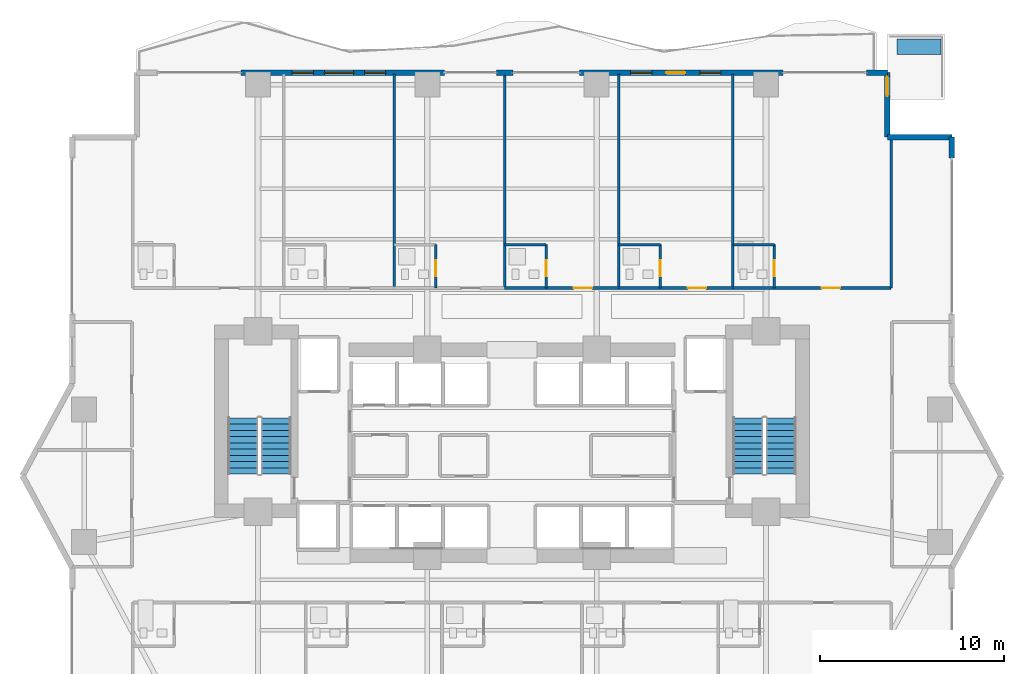
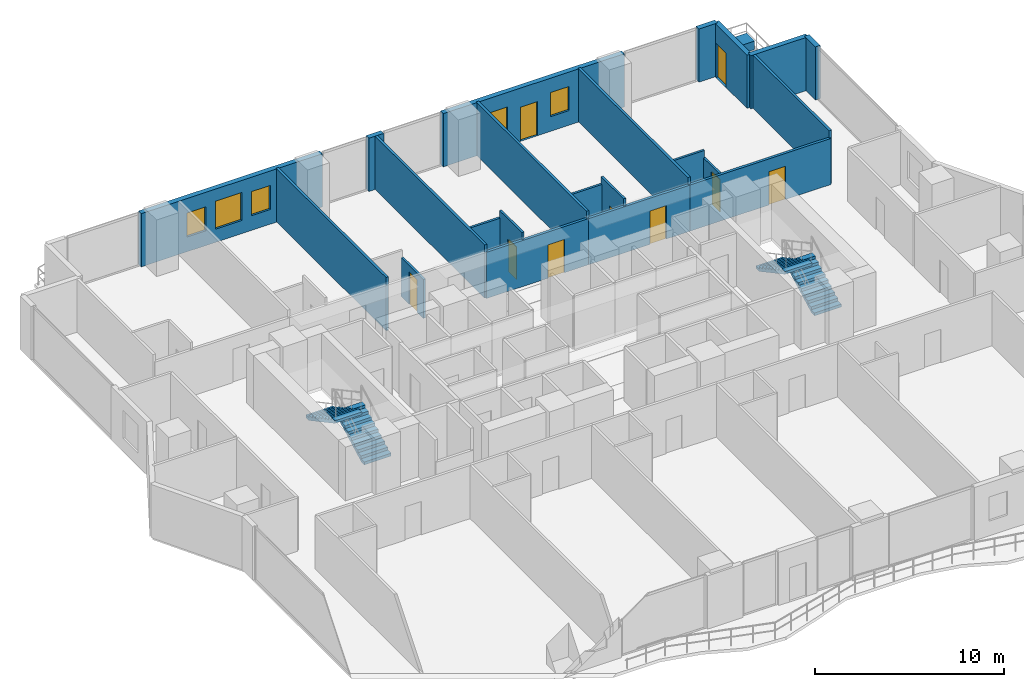
# One storey, part 23 of 27: 22 walls, 9 doors, 5 windows, 4 stair flights, 1 building element part, 14 openings, 2 elements without a shape of their own.
"""IFC4 building model written with IfcOpenShell, lengths in metres."""

from ifc_helpers import new_model, si_unit, direction, frame, frame_2d, origin, origin_2d, place, context, subcontext, project, spatial, polyline, rectangle, outline, extrude, material, layer, layer_set, type_object, element, fill, aggregate, save


model = new_model("IFC4")

# Units and contexts
model_context = context("Model", 3, precision=1e-05, world=origin(), true_north=direction((0.0, 1.0)))
body_context = subcontext(model_context, "Body", "Model", "MODEL_VIEW")
ifc_project = project(units=[si_unit("LENGTHUNIT", "METRE"), si_unit("AREAUNIT", "SQUARE_METRE"), si_unit("VOLUMEUNIT", "CUBIC_METRE"), si_unit("PLANEANGLEUNIT", "RADIAN"), si_unit("MASSUNIT", "GRAM", prefix="KILO")], contexts=[model_context])

# Site, building, storey
site_placement = place(None, origin())
site = spatial("IfcSite", under=ifc_project, at=site_placement, CompositionType="ELEMENT")
building_placement = place(site_placement, origin())
building = spatial("IfcBuilding", under=site, at=building_placement, Name="Zuhayl Quay Hotel", CompositionType="ELEMENT")
storey_placement = place(building_placement, frame((0.0, 0.0, 102.949951171875)))
storey = spatial("IfcBuildingStorey", under=building, at=storey_placement, Name="L25", CompositionType="ELEMENT", Elevation=102.949951171875)

# Wall, openings, windows
ifc_material_1 = material(Name="Precast concrete C45/55", Category="concrete")
ifc_layer_1 = layer(ifc_material_1, 0.300048828125, Name="Precast concrete C45/55", Category="concrete")
ifc_layer_set_1 = layer_set([ifc_layer_1], Name="Precast concrete C45/55")
wall_type_1 = type_object("IfcWallType", Name="WL_EXT_300", PredefinedType="STANDARD", material=ifc_layer_set_1)
wall_1_placement = place(storey_placement, frame((-14.719970703125, 28.39990234375, 0.0), z_axis=(0.0, 0.0, 1.0), x_axis=(1.0, 0.0, 0.0)))
wall_1 = element("IfcWall", 1, at=wall_1_placement, inside=storey, type_object=wall_type_1, Name="L25 Exterior Precast Wall ENV_L25_N_EW2", PredefinedType="STANDARD", context=body_context, shape_type="SweptSolid", body=[
    extrude(rectangle(XDim=11.0400390625, YDim=0.300048828125, at=frame_2d((5.52001953125, 0.0))), origin(), (0.0, 0.0, 1.0), 3.429931640625),
])
opening_1_placement = place(wall_1_placement, frame((4.52001953125, 0.0, 0.85009765625)))
opening_1 = element("IfcOpeningElement", 2, at=opening_1_placement, cuts=wall_1, Name="Opening W01", PredefinedType="OPENING", context=body_context, shape_type="SweptSolid", body=[
    extrude(rectangle(XDim=1.60009765625, YDim=1.800048828125, at=frame_2d((0.800048828125, 0.89990234375))), frame((0.0, 0.159912109375, 0.0), z_axis=(0.0, -1.0, 0.0), x_axis=(1.0, 0.0, 0.0)), (0.0, 0.0, 1.0), 0.320068359375),
])
opening_2_placement = place(wall_1_placement, frame((2.780029296875, 0.0, 0.949951171875)))
opening_2 = element("IfcOpeningElement", 3, at=opening_2_placement, cuts=wall_1, Name="Opening W01N", PredefinedType="OPENING", context=body_context, shape_type="SweptSolid", body=[
    extrude(rectangle(XDim=1.14990234375, YDim=1.550048828125, at=frame_2d((0.574951171875, 0.77490234375))), frame((0.0, 0.159912109375, 0.0), z_axis=(0.0, -1.0, 0.0), x_axis=(1.0, 0.0, 0.0)), (0.0, 0.0, 1.0), 0.320068359375),
])
opening_3_placement = place(wall_1_placement, frame((6.7099609375, 0.0, 0.949951171875)))
opening_3 = element("IfcOpeningElement", 4, at=opening_3_placement, cuts=wall_1, Name="Opening W01N", PredefinedType="OPENING", context=body_context, shape_type="SweptSolid", body=[
    extrude(rectangle(XDim=1.14990234375, YDim=1.550048828125, at=frame_2d((0.574951171875, 0.77490234375))), frame((0.0, 0.159912109375, 0.0), z_axis=(0.0, -1.0, 0.0), x_axis=(1.0, 0.0, 0.0)), (0.0, 0.0, 1.0), 0.320068359375),
])
ifc_material_2 = material(Name="Dark Ceramic-Fritted Solar Glass", Category="glass")
window_type_1 = type_object("IfcWindowType", Name="WN_NOTCH_1350", PartitioningType="SINGLE_PANEL", PredefinedType="WINDOW", material=ifc_material_2)
window_1_placement = place(opening_2_placement, origin())
window_1 = element("IfcWindow", 5, at=window_1_placement, inside=storey, type_object=window_type_1, Name="L25 Operable Facade Window 2-1", OverallHeight=1.550048828125, OverallWidth=1.14990234375, PartitioningType="SINGLE_PANEL", PredefinedType="WINDOW", context=body_context, shape_type="SweptSolid", body=[
    extrude(rectangle(XDim=1.14990234375, YDim=1.550048828125, at=frame_2d((0.574951171875, 0.77490234375))), frame((0.0, 0.030029296875, 0.0), z_axis=(0.0, -1.0, 0.0), x_axis=(1.0, 0.0, 0.0)), (0.0, 0.0, 1.0), 0.06005859375),
])
fill(opening_2, window_1)
window_2_placement = place(opening_3_placement, origin())
window_2 = element("IfcWindow", 6, at=window_2_placement, inside=storey, type_object=window_type_1, Name="L25 Operable Facade Window 2-2", OverallHeight=1.550048828125, OverallWidth=1.14990234375, PartitioningType="SINGLE_PANEL", PredefinedType="WINDOW", context=body_context, shape_type="SweptSolid", body=[
    extrude(rectangle(XDim=1.14990234375, YDim=1.550048828125, at=frame_2d((0.574951171875, 0.77490234375))), frame((0.0, 0.030029296875, 0.0), z_axis=(0.0, -1.0, 0.0), x_axis=(1.0, 0.0, 0.0)), (0.0, 0.0, 1.0), 0.06005859375),
])
fill(opening_3, window_2)
window_type_2 = type_object("IfcWindowType", Name="WN_OPERABLE_1600", PartitioningType="DOUBLE_PANEL_VERTICAL", PredefinedType="WINDOW", material=ifc_material_2)
window_3_placement = place(opening_1_placement, origin())
window_3 = element("IfcWindow", 7, at=window_3_placement, inside=storey, type_object=window_type_2, Name="L25 North Operable Casement Window", OverallHeight=1.800048828125, OverallWidth=1.60009765625, PartitioningType="SINGLE_PANEL", PredefinedType="WINDOW", context=body_context, shape_type="SweptSolid", body=[
    extrude(rectangle(XDim=1.60009765625, YDim=1.800048828125, at=frame_2d((0.800048828125, 0.89990234375))), frame((0.0, 0.030029296875, 0.0), z_axis=(0.0, -1.0, 0.0), x_axis=(1.0, 0.0, 0.0)), (0.0, 0.0, 1.0), 0.06005859375),
])
fill(opening_1, window_3)

# Wall
wall_2_placement = place(storey_placement, frame((-0.85009765625, 28.39990234375, 0.0), z_axis=(0.0, 0.0, 1.0), x_axis=(1.0, 0.0, 0.0)))
element("IfcWall", 8, at=wall_2_placement, inside=storey, type_object=wall_type_1, Name="L25 Exterior Precast Wall ENV_L25_N_EW3", PredefinedType="STANDARD", context=body_context, shape_type="SweptSolid", body=[
    extrude(rectangle(XDim=0.900146484375, YDim=0.300048828125, at=frame_2d((0.4501953125, 0.0))), origin(), (0.0, 0.0, 1.0), 3.429931640625),
])

# Wall, openings, door, windows
wall_3_placement = place(storey_placement, frame((3.679931640625, 28.39990234375, 0.0), z_axis=(0.0, 0.0, 1.0), x_axis=(1.0, 0.0, 0.0)))
wall_3 = element("IfcWall", 9, at=wall_3_placement, inside=storey, type_object=wall_type_1, Name="L25 Exterior Precast Wall ENV_L25_N_EW4", PredefinedType="STANDARD", context=body_context, shape_type="SweptSolid", body=[
    extrude(rectangle(XDim=11.0400390625, YDim=0.300048828125, at=frame_2d((5.52001953125, 0.0))), origin(), (0.0, 0.0, 1.0), 3.429931640625),
])
opening_4_placement = place(wall_3_placement, frame((4.695068359375, 0.0, 0.0)))
opening_4 = element("IfcOpeningElement", 10, at=opening_4_placement, cuts=wall_3, Name="Opening DG1", PredefinedType="OPENING", context=body_context, shape_type="SweptSolid", body=[
    extrude(rectangle(XDim=1.050048828125, YDim=2.199951171875, at=frame_2d((0.52490234375, 1.10009765625))), frame((0.0, 0.159912109375, 0.0), z_axis=(0.0, -1.0, 0.0), x_axis=(1.0, 0.0, 0.0)), (0.0, 0.0, 1.0), 0.320068359375),
])
opening_5_placement = place(wall_3_placement, frame((2.767578125, 0.0, 0.949951171875)))
opening_5 = element("IfcOpeningElement", 11, at=opening_5_placement, cuts=wall_3, Name="Opening W01N", PredefinedType="OPENING", context=body_context, shape_type="SweptSolid", body=[
    extrude(rectangle(XDim=1.14990234375, YDim=1.550048828125, at=frame_2d((0.574951171875, 0.77490234375))), frame((0.0, 0.159912109375, 0.0), z_axis=(0.0, -1.0, 0.0), x_axis=(1.0, 0.0, 0.0)), (0.0, 0.0, 1.0), 0.320068359375),
])
opening_6_placement = place(wall_3_placement, frame((6.5224609375, 0.0, 0.949951171875)))
opening_6 = element("IfcOpeningElement", 12, at=opening_6_placement, cuts=wall_3, Name="Opening W01N", PredefinedType="OPENING", context=body_context, shape_type="SweptSolid", body=[
    extrude(rectangle(XDim=1.14990234375, YDim=1.550048828125, at=frame_2d((0.574951171875, 0.77490234375))), frame((0.0, 0.159912109375, 0.0), z_axis=(0.0, -1.0, 0.0), x_axis=(1.0, 0.0, 0.0)), (0.0, 0.0, 1.0), 0.320068359375),
])
ifc_material_3 = material(Name="Anodised Aluminium and Dark Solar Glass", Category="aluminium")
door_type_1 = type_object("IfcDoorType", Name="DR_EXT_TERR_1050", OperationType="NOTDEFINED", PredefinedType="DOOR", material=ifc_material_3)
door_1_placement = place(opening_4_placement, origin())
door_1 = element("IfcDoor", 13, at=door_1_placement, inside=storey, type_object=door_type_1, Name="L25 North Rippling Balcony Door", OperationType="SINGLE_SWING_LEFT", OverallHeight=2.199951171875, OverallWidth=1.050048828125, PredefinedType="DOOR", context=body_context, shape_type="SweptSolid", body=[
    extrude(rectangle(XDim=1.050048828125, YDim=2.199951171875, at=frame_2d((0.52490234375, 1.10009765625))), frame((0.0, 0.02490234375, 0.0), z_axis=(0.0, -1.0, 0.0), x_axis=(1.0, 0.0, 0.0)), (0.0, 0.0, 1.0), 0.050048828125),
])
fill(opening_4, door_1)
window_4_placement = place(opening_5_placement, origin())
window_4 = element("IfcWindow", 14, at=window_4_placement, inside=storey, type_object=window_type_1, Name="L25 Operable Facade Window 4-1", OverallHeight=1.550048828125, OverallWidth=1.14990234375, PartitioningType="SINGLE_PANEL", PredefinedType="WINDOW", context=body_context, shape_type="SweptSolid", body=[
    extrude(rectangle(XDim=1.14990234375, YDim=1.550048828125, at=frame_2d((0.574951171875, 0.77490234375))), frame((0.0, 0.030029296875, 0.0), z_axis=(0.0, -1.0, 0.0), x_axis=(1.0, 0.0, 0.0)), (0.0, 0.0, 1.0), 0.06005859375),
])
fill(opening_5, window_4)
window_5_placement = place(opening_6_placement, origin())
window_5 = element("IfcWindow", 15, at=window_5_placement, inside=storey, type_object=window_type_1, Name="L25 Operable Facade Window 4-2", OverallHeight=1.550048828125, OverallWidth=1.14990234375, PartitioningType="SINGLE_PANEL", PredefinedType="WINDOW", context=body_context, shape_type="SweptSolid", body=[
    extrude(rectangle(XDim=1.14990234375, YDim=1.550048828125, at=frame_2d((0.574951171875, 0.77490234375))), frame((0.0, 0.030029296875, 0.0), z_axis=(0.0, -1.0, 0.0), x_axis=(1.0, 0.0, 0.0)), (0.0, 0.0, 1.0), 0.06005859375),
])
fill(opening_6, window_5)

# Wall
wall_4_placement = place(storey_placement, frame((19.25, 28.39990234375, 0.0), z_axis=(0.0, 0.0, 1.0), x_axis=(1.0, 0.0, 0.0)))
element("IfcWall", 16, at=wall_4_placement, inside=storey, type_object=wall_type_1, Name="L25 Exterior Precast Wall ENV_L25_N_EW5", PredefinedType="STANDARD", context=body_context, shape_type="SweptSolid", body=[
    extrude(rectangle(XDim=1.14990234375, YDim=0.300048828125, at=frame_2d((0.574951171875, 0.0))), origin(), (0.0, 0.0, 1.0), 3.429931640625),
])

# Wall, opening, door
wall_5_placement = place(storey_placement, frame((20.39990234375, 28.39990234375, 0.0), z_axis=(0.0, 0.0, 1.0), x_axis=(0.0, -1.0, 0.0)))
wall_5 = element("IfcWall", 17, at=wall_5_placement, inside=storey, type_object=wall_type_1, Name="L25 Exterior Precast Wall ENV_L25_SP_NE", PredefinedType="STANDARD", context=body_context, shape_type="SweptSolid", body=[
    extrude(rectangle(XDim=3.5, YDim=0.300048828125, at=frame_2d((1.75, 0.0))), origin(), (0.0, 0.0, 1.0), 3.429931640625),
])
opening_7_placement = place(wall_5_placement, frame((0.219970703125, 0.0, 0.0)))
opening_7 = element("IfcOpeningElement", 18, at=opening_7_placement, cuts=wall_5, Name="Opening DG1", PredefinedType="OPENING", context=body_context, shape_type="SweptSolid", body=[
    extrude(rectangle(XDim=1.050048828125, YDim=2.199951171875, at=frame_2d((0.52490234375, 1.10009765625))), frame((0.0, 0.159912109375, 0.0), z_axis=(0.0, -1.0, 0.0), x_axis=(1.0, 0.0, 0.0)), (0.0, 0.0, 1.0), 0.320068359375),
])
door_2_placement = place(opening_7_placement, origin())
door_2 = element("IfcDoor", 19, at=door_2_placement, inside=storey, type_object=door_type_1, Name="L25 Spiral Sky-Terrace NE Access Door", OperationType="SINGLE_SWING_LEFT", OverallHeight=2.199951171875, OverallWidth=1.050048828125, PredefinedType="DOOR", context=body_context, shape_type="SweptSolid", body=[
    extrude(rectangle(XDim=1.050048828125, YDim=2.199951171875, at=frame_2d((0.52490234375, 1.10009765625))), frame((0.0, 0.02490234375, 0.0), z_axis=(0.0, -1.0, 0.0), x_axis=(1.0, 0.0, 0.0)), (0.0, 0.0, 1.0), 0.050048828125),
])
fill(opening_7, door_2)

# Walls
wall_6_placement = place(storey_placement, frame((20.39990234375, 24.89990234375, 0.0), z_axis=(0.0, 0.0, 1.0), x_axis=(1.0, 0.0, 0.0)))
element("IfcWall", 20, at=wall_6_placement, inside=storey, type_object=wall_type_1, Name="L25 Exterior Precast Wall ENV_L25_EW10", PredefinedType="STANDARD", context=body_context, shape_type="SweptSolid", body=[
    extrude(rectangle(XDim=3.5, YDim=0.300048828125, at=frame_2d((1.75, 0.0))), origin(), (0.0, 0.0, 1.0), 3.429931640625),
])
wall_7_placement = place(storey_placement, frame((23.89990234375, 24.89990234375, 0.0), z_axis=(0.0, 0.0, 1.0), x_axis=(0.0, -1.0, 0.0)))
element("IfcWall", 21, at=wall_7_placement, inside=storey, type_object=wall_type_1, Name="L25 Exterior Precast Wall ENV_L25_E11_EW1", PredefinedType="STANDARD", context=body_context, shape_type="SweptSolid", body=[
    extrude(rectangle(XDim=1.14990234375, YDim=0.300048828125, at=frame_2d((0.574951171875, 0.0))), origin(), (0.0, 0.0, 1.0), 3.429931640625),
])
ifc_material_4 = material(Name="Acoustic Gypsum Partition STC-58")
ifc_layer_2 = layer(ifc_material_4, 0.14990234375, Name="Acoustic Gypsum Partition STC-58")
ifc_layer_set_2 = layer_set([ifc_layer_2], Name="Acoustic Gypsum Partition STC-58")
wall_type_2 = type_object("IfcWallType", Name="WL_PART_150", PredefinedType="PARTITIONING", material=ifc_layer_set_2)
for number, where, z_axis, x_axis, name in (
    (22, (-6.39990234375, 16.699951171875, 0.0), (0.0, 0.0, 1.0), (0.0, 1.0, 0.0), "L25 Partition IW_L25_NU02_E"),
    (23, (-0.39990234375, 16.699951171875, 0.0), (0.0, 0.0, 1.0), (0.0, 1.0, 0.0), "L25 Partition IW_L25_NU03_E"),
    (24, (5.800048828125, 16.699951171875, 0.0), (0.0, 0.0, 1.0), (0.0, 1.0, 0.0), "L25 Partition IW_L25_NU04_E"),
    (25, (12.0, 16.699951171875, 0.0), (0.0, 0.0, 1.0), (0.0, 1.0, 0.0), "L25 Partition IW_L25_NU05_E"),
):
    element("IfcWall", number, at=place(storey_placement, frame(where, z_axis=z_axis, x_axis=x_axis)), inside=storey, type_object=wall_type_2, Name=name, PredefinedType="PARTITIONING", context=body_context, shape_type="SweptSolid", body=[
        extrude(rectangle(XDim=11.6201171875, YDim=0.14990234375, at=frame_2d((5.81005859375, 0.0))), origin(), (0.0, 0.0, 1.0), 3.429931640625),
    ])
wall_8_placement = place(storey_placement, frame((20.60009765625, 16.699951171875, 0.0), z_axis=(0.0, 0.0, 1.0), x_axis=(0.0, 1.0, 0.0)))
element("IfcWall", 26, at=wall_8_placement, inside=storey, type_object=wall_type_2, Name="L25 Partition IW_L25_NU06_E", PredefinedType="PARTITIONING", context=body_context, shape_type="SweptSolid", body=[
    extrude(rectangle(XDim=8.199951171875, YDim=0.14990234375, at=frame_2d((4.10009765625, 0.0))), origin(), (0.0, 0.0, 1.0), 3.429931640625),
])

# Wall, opening, door
ifc_layer_3 = layer(ifc_material_4, 0.159912109375, Name="Acoustic Gypsum Partition STC-58")
ifc_layer_set_3 = layer_set([ifc_layer_3], Name="Acoustic Gypsum Partition STC-58")
wall_type_3 = type_object("IfcWallType", Name="WL_PART_CORR_160", PredefinedType="PARTITIONING", material=ifc_layer_set_3)
wall_9_placement = place(storey_placement, frame((-0.39990234375, 16.699951171875, 0.0), z_axis=(0.0, 0.0, 1.0), x_axis=(1.0, 0.0, 0.0)))
wall_9 = element("IfcWall", 27, at=wall_9_placement, inside=storey, type_object=wall_type_3, Name="L25 Partition IW_L25_NU04_COR", PredefinedType="PARTITIONING", context=body_context, shape_type="SweptSolid", body=[
    extrude(rectangle(XDim=6.199951171875, YDim=0.159912109375, at=frame_2d((3.10009765625, 0.0))), origin(), (0.0, 0.0, 1.0), 2.97314453125),
])
opening_8_placement = place(wall_9_placement, frame((3.75, 0.0, 0.0)))
opening_8 = element("IfcOpeningElement", 28, at=opening_8_placement, cuts=wall_9, Name="Opening D03L", PredefinedType="OPENING", context=body_context, shape_type="SweptSolid", body=[
    extrude(rectangle(XDim=1.0, YDim=2.14990234375, at=frame_2d((0.5, 1.074951171875))), frame((0.0, 0.08984375, 0.0), z_axis=(0.0, -1.0, 0.0), x_axis=(1.0, 0.0, 0.0)), (0.0, 0.0, 1.0), 0.179931640625),
])
ifc_material_5 = material(Name="Solid Walnut Acoustic Fire Door")
door_type_2 = type_object("IfcDoorType", Name="DR_SUITE_1000", OperationType="NOTDEFINED", PredefinedType="DOOR", material=ifc_material_5)
door_3_placement = place(opening_8_placement, origin())
door_3 = element("IfcDoor", 29, at=door_3_placement, inside=storey, type_object=door_type_2, Name="L25 Executive Suite L25-04 Entrance Door", OperationType="SINGLE_SWING_RIGHT", OverallHeight=2.14990234375, OverallWidth=1.0, PredefinedType="DOOR", context=body_context, shape_type="SweptSolid", body=[
    extrude(rectangle(XDim=1.0, YDim=2.14990234375, at=frame_2d((0.5, 1.074951171875))), frame((0.0, 0.02490234375, 0.0), z_axis=(0.0, -1.0, 0.0), x_axis=(1.0, 0.0, 0.0)), (0.0, 0.0, 1.0), 0.050048828125),
])
fill(opening_8, door_3)

wall_10_placement = place(storey_placement, frame((5.800048828125, 16.699951171875, 0.0), z_axis=(0.0, 0.0, 1.0), x_axis=(1.0, 0.0, 0.0)))
wall_10 = element("IfcWall", 30, at=wall_10_placement, inside=storey, type_object=wall_type_3, Name="L25 Partition IW_L25_NU05_COR", PredefinedType="PARTITIONING", context=body_context, shape_type="SweptSolid", body=[
    extrude(rectangle(XDim=6.199951171875, YDim=0.159912109375, at=frame_2d((3.10009765625, 0.0))), origin(), (0.0, 0.0, 1.0), 2.97314453125),
])
opening_9_placement = place(wall_10_placement, frame((3.75, 0.0, 0.0)))
opening_9 = element("IfcOpeningElement", 31, at=opening_9_placement, cuts=wall_10, Name="Opening D03L", PredefinedType="OPENING", context=body_context, shape_type="SweptSolid", body=[
    extrude(rectangle(XDim=1.0, YDim=2.14990234375, at=frame_2d((0.5, 1.074951171875))), frame((0.0, 0.08984375, 0.0), z_axis=(0.0, -1.0, 0.0), x_axis=(1.0, 0.0, 0.0)), (0.0, 0.0, 1.0), 0.179931640625),
])
door_4_placement = place(opening_9_placement, origin())
door_4 = element("IfcDoor", 32, at=door_4_placement, inside=storey, type_object=door_type_2, Name="L25 Executive Suite L25-05 Entrance Door", OperationType="SINGLE_SWING_RIGHT", OverallHeight=2.14990234375, OverallWidth=1.0, PredefinedType="DOOR", context=body_context, shape_type="SweptSolid", body=[
    extrude(rectangle(XDim=1.0, YDim=2.14990234375, at=frame_2d((0.5, 1.074951171875))), frame((0.0, 0.02490234375, 0.0), z_axis=(0.0, -1.0, 0.0), x_axis=(1.0, 0.0, 0.0)), (0.0, 0.0, 1.0), 0.050048828125),
])
fill(opening_9, door_4)

wall_11_placement = place(storey_placement, frame((12.0, 16.699951171875, 0.0), z_axis=(0.0, 0.0, 1.0), x_axis=(1.0, 0.0, 0.0)))
wall_11 = element("IfcWall", 33, at=wall_11_placement, inside=storey, type_object=wall_type_3, Name="L25 Partition IW_L25_NU06_COR", PredefinedType="PARTITIONING", context=body_context, shape_type="SweptSolid", body=[
    extrude(rectangle(XDim=8.60009765625, YDim=0.159912109375, at=frame_2d((4.300048828125, 0.0))), origin(), (0.0, 0.0, 1.0), 2.97314453125),
])
opening_10_placement = place(wall_11_placement, frame((4.824951171875, 0.0, 0.0)))
opening_10 = element("IfcOpeningElement", 34, at=opening_10_placement, cuts=wall_11, Name="Opening D03L", PredefinedType="OPENING", context=body_context, shape_type="SweptSolid", body=[
    extrude(rectangle(XDim=1.0, YDim=2.14990234375, at=frame_2d((0.5, 1.074951171875))), frame((0.0, 0.08984375, 0.0), z_axis=(0.0, -1.0, 0.0), x_axis=(1.0, 0.0, 0.0)), (0.0, 0.0, 1.0), 0.179931640625),
])
door_5_placement = place(opening_10_placement, origin())
door_5 = element("IfcDoor", 35, at=door_5_placement, inside=storey, type_object=door_type_2, Name="L25 Executive Suite L25-06 Entrance Door", OperationType="SINGLE_SWING_RIGHT", OverallHeight=2.14990234375, OverallWidth=1.0, PredefinedType="DOOR", context=body_context, shape_type="SweptSolid", body=[
    extrude(rectangle(XDim=1.0, YDim=2.14990234375, at=frame_2d((0.5, 1.074951171875))), frame((0.0, 0.02490234375, 0.0), z_axis=(0.0, -1.0, 0.0), x_axis=(1.0, 0.0, 0.0)), (0.0, 0.0, 1.0), 0.050048828125),
])
fill(opening_10, door_5)

ifc_material_6 = material(Name="Moisture-Resistant Sanitarychase Gypsum")
ifc_layer_4 = layer(ifc_material_6, 0.135009765625, Name="Moisture-Resistant Sanitarychase Gypsum")
ifc_layer_set_4 = layer_set([ifc_layer_4], Name="Moisture-Resistant Sanitarychase Gypsum")
wall_type_4 = type_object("IfcWallType", Name="WL_PART_PLUMB_150", PredefinedType="PLUMBINGWALL", material=ifc_layer_set_4)
wall_12_placement = place(storey_placement, frame((-4.139892578125, 16.699951171875, 0.0), z_axis=(0.0, 0.0, 1.0), x_axis=(0.0, 1.0, 0.0)))
wall_12 = element("IfcWall", 36, at=wall_12_placement, inside=storey, type_object=wall_type_4, Name="L25 Partition IW_L25_NU03_BE", PredefinedType="PLUMBINGWALL", context=body_context, shape_type="SweptSolid", body=[
    extrude(rectangle(XDim=2.360107421875, YDim=0.135009765625, at=frame_2d((1.18017578125, 0.0))), origin(), (0.0, 0.0, 1.0), 2.5029296875),
])
opening_11_placement = place(wall_12_placement, frame((0.64990234375, 0.0, 0.0)))
opening_11 = element("IfcOpeningElement", 37, at=opening_11_placement, cuts=wall_12, Name="Opening D04", PredefinedType="OPENING", context=body_context, shape_type="SweptSolid", body=[
    extrude(rectangle(XDim=0.85009765625, YDim=2.10009765625, at=frame_2d((0.425048828125, 1.050048828125))), frame((0.0, 0.077392578125, 0.0), z_axis=(0.0, -1.0, 0.0), x_axis=(1.0, 0.0, 0.0)), (0.0, 0.0, 1.0), 0.155029296875),
])
ifc_material_7 = material(Name="Moisture-Resistant Walnut Veneer")
door_type_3 = type_object("IfcDoorType", Name="DR_BATH_850", OperationType="NOTDEFINED", PredefinedType="DOOR", material=ifc_material_7)
door_6_placement = place(opening_11_placement, origin())
door_6 = element("IfcDoor", 38, at=door_6_placement, inside=storey, type_object=door_type_3, Name="L25 Executive Suite L25-03 En-Suite Door", OperationType="SINGLE_SWING_LEFT", OverallHeight=2.10009765625, OverallWidth=0.85009765625, PredefinedType="DOOR", context=body_context, shape_type="SweptSolid", body=[
    extrude(rectangle(XDim=0.85009765625, YDim=2.10009765625, at=frame_2d((0.425048828125, 1.050048828125))), frame((0.0, 0.02490234375, 0.0), z_axis=(0.0, -1.0, 0.0), x_axis=(1.0, 0.0, 0.0)), (0.0, 0.0, 1.0), 0.050048828125),
])
fill(opening_11, door_6)

wall_13_placement = place(storey_placement, frame((1.860107421875, 16.699951171875, 0.0), z_axis=(0.0, 0.0, 1.0), x_axis=(0.0, 1.0, 0.0)))
wall_13 = element("IfcWall", 39, at=wall_13_placement, inside=storey, type_object=wall_type_4, Name="L25 Partition IW_L25_NU04_BE", PredefinedType="PLUMBINGWALL", context=body_context, shape_type="SweptSolid", body=[
    extrude(rectangle(XDim=2.360107421875, YDim=0.135009765625, at=frame_2d((1.18017578125, 0.0))), origin(), (0.0, 0.0, 1.0), 3.429931640625),
])
opening_12_placement = place(wall_13_placement, frame((0.64990234375, 0.0, 0.0)))
opening_12 = element("IfcOpeningElement", 40, at=opening_12_placement, cuts=wall_13, Name="Opening D04", PredefinedType="OPENING", context=body_context, shape_type="SweptSolid", body=[
    extrude(rectangle(XDim=0.85009765625, YDim=2.10009765625, at=frame_2d((0.425048828125, 1.050048828125))), frame((0.0, 0.077392578125, 0.0), z_axis=(0.0, -1.0, 0.0), x_axis=(1.0, 0.0, 0.0)), (0.0, 0.0, 1.0), 0.155029296875),
])
door_7_placement = place(opening_12_placement, origin())
door_7 = element("IfcDoor", 41, at=door_7_placement, inside=storey, type_object=door_type_3, Name="L25 Executive Suite L25-04 En-Suite Door", OperationType="SINGLE_SWING_LEFT", OverallHeight=2.10009765625, OverallWidth=0.85009765625, PredefinedType="DOOR", context=body_context, shape_type="SweptSolid", body=[
    extrude(rectangle(XDim=0.85009765625, YDim=2.10009765625, at=frame_2d((0.425048828125, 1.050048828125))), frame((0.0, 0.02490234375, 0.0), z_axis=(0.0, -1.0, 0.0), x_axis=(1.0, 0.0, 0.0)), (0.0, 0.0, 1.0), 0.050048828125),
])
fill(opening_12, door_7)

wall_14_placement = place(storey_placement, frame((8.06005859375, 16.699951171875, 0.0), z_axis=(0.0, 0.0, 1.0), x_axis=(0.0, 1.0, 0.0)))
wall_14 = element("IfcWall", 42, at=wall_14_placement, inside=storey, type_object=wall_type_4, Name="L25 Partition IW_L25_NU05_BE", PredefinedType="PLUMBINGWALL", context=body_context, shape_type="SweptSolid", body=[
    extrude(rectangle(XDim=2.360107421875, YDim=0.135009765625, at=frame_2d((1.18017578125, 0.0))), origin(), (0.0, 0.0, 1.0), 3.429931640625),
])
opening_13_placement = place(wall_14_placement, frame((0.64990234375, 0.0, 0.0)))
opening_13 = element("IfcOpeningElement", 43, at=opening_13_placement, cuts=wall_14, Name="Opening D04", PredefinedType="OPENING", context=body_context, shape_type="SweptSolid", body=[
    extrude(rectangle(XDim=0.85009765625, YDim=2.10009765625, at=frame_2d((0.425048828125, 1.050048828125))), frame((0.0, 0.077392578125, 0.0), z_axis=(0.0, -1.0, 0.0), x_axis=(1.0, 0.0, 0.0)), (0.0, 0.0, 1.0), 0.155029296875),
])
door_8_placement = place(opening_13_placement, origin())
door_8 = element("IfcDoor", 44, at=door_8_placement, inside=storey, type_object=door_type_3, Name="L25 Executive Suite L25-05 En-Suite Door", OperationType="SINGLE_SWING_LEFT", OverallHeight=2.10009765625, OverallWidth=0.85009765625, PredefinedType="DOOR", context=body_context, shape_type="SweptSolid", body=[
    extrude(rectangle(XDim=0.85009765625, YDim=2.10009765625, at=frame_2d((0.425048828125, 1.050048828125))), frame((0.0, 0.02490234375, 0.0), z_axis=(0.0, -1.0, 0.0), x_axis=(1.0, 0.0, 0.0)), (0.0, 0.0, 1.0), 0.050048828125),
])
fill(opening_13, door_8)

wall_15_placement = place(storey_placement, frame((14.260009765625, 16.699951171875, 0.0), z_axis=(0.0, 0.0, 1.0), x_axis=(0.0, 1.0, 0.0)))
wall_15 = element("IfcWall", 45, at=wall_15_placement, inside=storey, type_object=wall_type_4, Name="L25 Partition IW_L25_NU06_BE", PredefinedType="PLUMBINGWALL", context=body_context, shape_type="SweptSolid", body=[
    extrude(rectangle(XDim=2.360107421875, YDim=0.135009765625, at=frame_2d((1.18017578125, 0.0))), origin(), (0.0, 0.0, 1.0), 2.5029296875),
])
opening_14_placement = place(wall_15_placement, frame((0.64990234375, 0.0, 0.0)))
opening_14 = element("IfcOpeningElement", 46, at=opening_14_placement, cuts=wall_15, Name="Opening D04", PredefinedType="OPENING", context=body_context, shape_type="SweptSolid", body=[
    extrude(rectangle(XDim=0.85009765625, YDim=2.10009765625, at=frame_2d((0.425048828125, 1.050048828125))), frame((0.0, 0.077392578125, 0.0), z_axis=(0.0, -1.0, 0.0), x_axis=(1.0, 0.0, 0.0)), (0.0, 0.0, 1.0), 0.155029296875),
])
door_9_placement = place(opening_14_placement, origin())
door_9 = element("IfcDoor", 47, at=door_9_placement, inside=storey, type_object=door_type_3, Name="L25 Executive Suite L25-06 En-Suite Door", OperationType="SINGLE_SWING_LEFT", OverallHeight=2.10009765625, OverallWidth=0.85009765625, PredefinedType="DOOR", context=body_context, shape_type="SweptSolid", body=[
    extrude(rectangle(XDim=0.85009765625, YDim=2.10009765625, at=frame_2d((0.425048828125, 1.050048828125))), frame((0.0, 0.02490234375, 0.0), z_axis=(0.0, -1.0, 0.0), x_axis=(1.0, 0.0, 0.0)), (0.0, 0.0, 1.0), 0.050048828125),
])
fill(opening_14, door_9)

# Walls
for number, where, z_axis, x_axis, name in (
    (48, (-0.39990234375, 19.06005859375, 0.0), (0.0, 0.0, 1.0), (1.0, 0.0, 0.0), "L25 Partition IW_L25_NU04_BN"),
    (49, (5.800048828125, 19.06005859375, 0.0), (0.0, 0.0, 1.0), (1.0, 0.0, 0.0), "L25 Partition IW_L25_NU05_BN"),
    (50, (12.0, 19.06005859375, 0.0), (0.0, 0.0, 1.0), (1.0, 0.0, 0.0), "L25 Partition IW_L25_NU06_BN"),
):
    element("IfcWall", number, at=place(storey_placement, frame(where, z_axis=z_axis, x_axis=x_axis)), inside=storey, type_object=wall_type_4, Name=name, PredefinedType="PLUMBINGWALL", context=body_context, shape_type="SweptSolid", body=[
        extrude(rectangle(XDim=2.260009765625, YDim=0.135009765625, at=frame_2d((1.1298828125, 0.0))), origin(), (0.0, 0.0, 1.0), 2.97314453125),
    ])

# Stair, stair flights
ifc_material_8 = material(Name="Concrete C45/55", Category="concrete")
stair_type = type_object("IfcStairType", Name="ST_DOGLEG_TOWER", PredefinedType="HALF_TURN_STAIR", material=ifc_material_8)
stair_1_placement = place(storey_placement, origin())
stair_1 = element("IfcStair", 51, at=stair_1_placement, inside=storey, type_object=stair_type, Name="L25 Smokeproof Exit Stair ST1", PredefinedType="HALF_TURN_STAIR")
ifc_layer_5 = layer(ifc_material_8, 0.159912109375, Name="Concrete C45/55", Category="concrete")
ifc_layer_set_5 = layer_set([ifc_layer_5], Name="Concrete C45/55")
stair_flight_type = type_object("IfcStairFlightType", Name="SF_CONC_164", PredefinedType="STRAIGHT", material=ifc_layer_set_5)
stair_flight_1_placement = place(storey_placement, frame((-12.820068359375, 6.590087890625, 0.0), z_axis=(0.0, 0.0, 1.0), x_axis=(0.0, 1.0, 0.0)))
stair_flight_1 = element("IfcStairFlight", 52, at=stair_flight_1_placement, type_object=stair_flight_type, Name="ST1 flight 1", NumberOfRisers=10, NumberOfTreads=9, PredefinedType="STRAIGHT", RiserHeight=0.1825, TreadLength=0.34, context=body_context, shape_type="SweptSolid", body=[
    extrude(outline(polyline([(0.0, 0.0), (0.0, 0.1826171875), (0.340087890625, 0.1826171875), (0.340087890625, 0.364990234375), (0.679931640625, 0.364990234375), (0.679931640625, 0.547607421875), (1.02001953125, 0.547607421875), (1.02001953125, 0.72998046875), (1.360107421875, 0.72998046875), (1.360107421875, 0.91259765625), (1.699951171875, 0.91259765625), (1.699951171875, 1.094970703125), (2.0400390625, 1.094970703125), (2.0400390625, 1.277587890625), (2.3798828125, 1.277587890625), (2.3798828125, 1.4599609375), (2.719970703125, 1.4599609375), (2.719970703125, 1.642578125), (3.06005859375, 1.642578125), (3.06005859375, 1.824951171875), (3.06005859375, 1.472412109375), (0.31689453125, 0.0), (0.0, 0.0)])), frame((0.0, 0.81982421875, 0.0), z_axis=(0.0, -1.0, 0.0), x_axis=(1.0, 0.0, 0.0)), (0.0, 0.0, 1.0), 1.639892578125),
])
stair_flight_2_placement = place(storey_placement, frame((-14.610107421875, 9.64990234375, 1.824951171875), z_axis=(0.0, 0.0, 1.0), x_axis=(0.0, -1.0, 0.0)))
stair_flight_2 = element("IfcStairFlight", 53, at=stair_flight_2_placement, type_object=stair_flight_type, Name="ST1 flight 2", NumberOfRisers=10, NumberOfTreads=9, PredefinedType="STRAIGHT", RiserHeight=0.1825, TreadLength=0.34, context=body_context, shape_type="SweptSolid", body=[
    extrude(outline(polyline([(0.0, 0.0), (0.0, 0.1826171875), (0.340087890625, 0.1826171875), (0.340087890625, 0.364990234375), (0.679931640625, 0.364990234375), (0.679931640625, 0.547607421875), (1.02001953125, 0.547607421875), (1.02001953125, 0.72998046875), (1.360107421875, 0.72998046875), (1.360107421875, 0.91259765625), (1.699951171875, 0.91259765625), (1.699951171875, 1.094970703125), (2.0400390625, 1.094970703125), (2.0400390625, 1.277587890625), (2.3798828125, 1.277587890625), (2.3798828125, 1.4599609375), (2.719970703125, 1.4599609375), (2.719970703125, 1.642578125), (3.06005859375, 1.642578125), (3.06005859375, 1.824951171875), (3.06005859375, 1.472412109375), (0.31689453125, 0.0), (0.0, 0.0)])), frame((0.0, 0.81982421875, 0.0), z_axis=(0.0, -1.0, 0.0), x_axis=(1.0, 0.0, 0.0)), (0.0, 0.0, 1.0), 1.639892578125),
])
aggregate(stair_1, [stair_flight_1, stair_flight_2])

stair_2_placement = place(storey_placement, origin())
stair_2 = element("IfcStair", 54, at=stair_2_placement, inside=storey, type_object=stair_type, Name="L25 Smokeproof Exit Stair ST2", PredefinedType="HALF_TURN_STAIR")
stair_flight_3_placement = place(storey_placement, frame((14.610107421875, 6.590087890625, 0.0), z_axis=(0.0, 0.0, 1.0), x_axis=(0.0, 1.0, 0.0)))
stair_flight_3 = element("IfcStairFlight", 55, at=stair_flight_3_placement, type_object=stair_flight_type, Name="ST2 flight 1", NumberOfRisers=10, NumberOfTreads=9, PredefinedType="STRAIGHT", RiserHeight=0.1825, TreadLength=0.34, context=body_context, shape_type="SweptSolid", body=[
    extrude(outline(polyline([(0.0, 0.0), (0.0, 0.1826171875), (0.340087890625, 0.1826171875), (0.340087890625, 0.364990234375), (0.679931640625, 0.364990234375), (0.679931640625, 0.547607421875), (1.02001953125, 0.547607421875), (1.02001953125, 0.72998046875), (1.360107421875, 0.72998046875), (1.360107421875, 0.91259765625), (1.699951171875, 0.91259765625), (1.699951171875, 1.094970703125), (2.0400390625, 1.094970703125), (2.0400390625, 1.277587890625), (2.3798828125, 1.277587890625), (2.3798828125, 1.4599609375), (2.719970703125, 1.4599609375), (2.719970703125, 1.642578125), (3.06005859375, 1.642578125), (3.06005859375, 1.824951171875), (3.06005859375, 1.472412109375), (0.31689453125, 0.0), (0.0, 0.0)])), frame((0.0, 0.81982421875, 0.0), z_axis=(0.0, -1.0, 0.0), x_axis=(1.0, 0.0, 0.0)), (0.0, 0.0, 1.0), 1.639892578125),
])
stair_flight_4_placement = place(storey_placement, frame((12.820068359375, 9.64990234375, 1.824951171875), z_axis=(0.0, 0.0, 1.0), x_axis=(0.0, -1.0, 0.0)))
stair_flight_4 = element("IfcStairFlight", 56, at=stair_flight_4_placement, type_object=stair_flight_type, Name="ST2 flight 2", NumberOfRisers=10, NumberOfTreads=9, PredefinedType="STRAIGHT", RiserHeight=0.1825, TreadLength=0.34, context=body_context, shape_type="SweptSolid", body=[
    extrude(outline(polyline([(0.0, 0.0), (0.0, 0.1826171875), (0.340087890625, 0.1826171875), (0.340087890625, 0.364990234375), (0.679931640625, 0.364990234375), (0.679931640625, 0.547607421875), (1.02001953125, 0.547607421875), (1.02001953125, 0.72998046875), (1.360107421875, 0.72998046875), (1.360107421875, 0.91259765625), (1.699951171875, 0.91259765625), (1.699951171875, 1.094970703125), (2.0400390625, 1.094970703125), (2.0400390625, 1.277587890625), (2.3798828125, 1.277587890625), (2.3798828125, 1.4599609375), (2.719970703125, 1.4599609375), (2.719970703125, 1.642578125), (3.06005859375, 1.642578125), (3.06005859375, 1.824951171875), (3.06005859375, 1.472412109375), (0.31689453125, 0.0), (0.0, 0.0)])), frame((0.0, 0.81982421875, 0.0), z_axis=(0.0, -1.0, 0.0), x_axis=(1.0, 0.0, 0.0)), (0.0, 0.0, 1.0), 1.639892578125),
])
aggregate(stair_2, [stair_flight_3, stair_flight_4])

# Building element part
ifc_layer_6 = layer(ifc_material_1, 0.550048828125, Name="Precast concrete C45/55", Category="concrete")
ifc_layer_set_6 = layer_set([ifc_layer_6], Name="Precast concrete C45/55")
building_element_part_type = type_object("IfcBuildingElementPartType", Name="PT_PLANTER_KERB", PredefinedType="PRECASTPANEL", material=ifc_layer_set_6)
building_element_part_placement = place(storey_placement, frame((22.110107421875, 29.81005859375, 0.0), z_axis=(0.0, 0.0, 1.0), x_axis=(1.0, 0.0, 0.0)))
element("IfcBuildingElementPart", 57, at=building_element_part_placement, inside=storey, type_object=building_element_part_type, Name="L25 Spiral Sky-Terrace Planter Box NE", PredefinedType="PRECASTPANEL", context=body_context, shape_type="SweptSolid", body=[
    extrude(rectangle(XDim=2.39990234375, YDim=0.85009765625, at=origin_2d()), origin(), (0.0, 0.0, 1.0), 0.550048828125),
])

save(model, "model.ifc")
